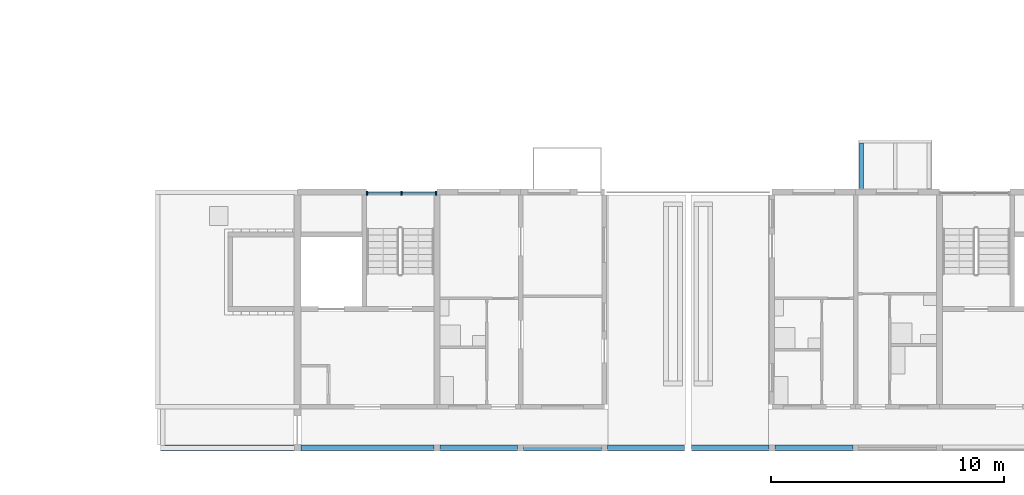
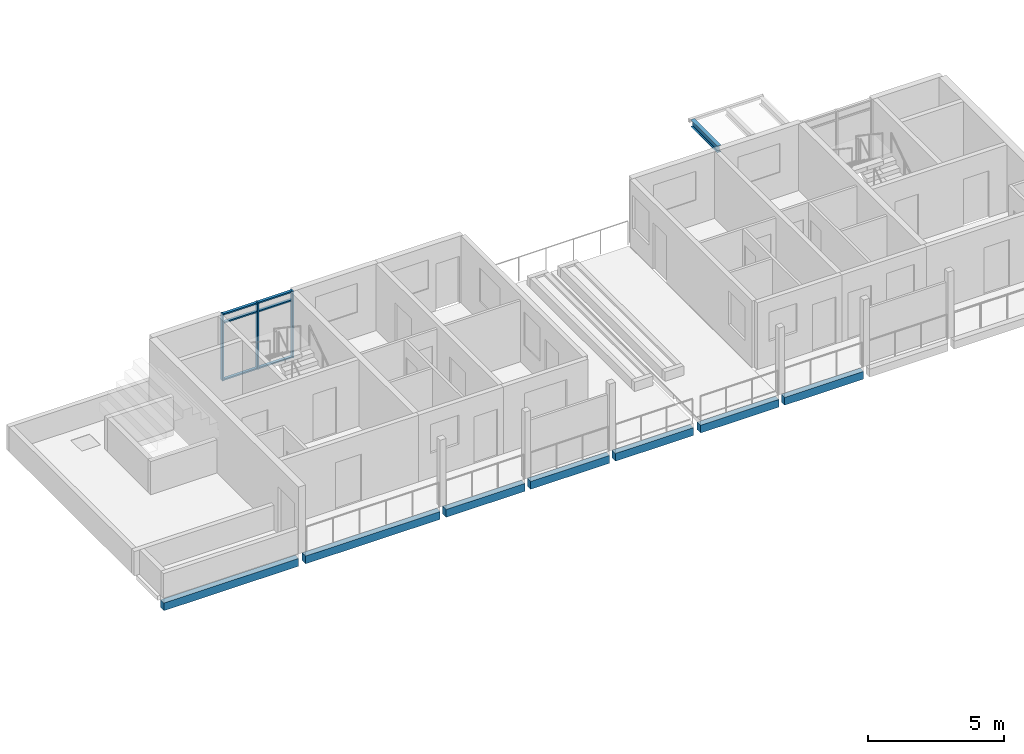
# One storey, part 11 of 55: 9 members, 8 beams, 1 element without a shape of its own.
"""IFC4 building model written with IfcOpenShell, lengths in metres."""

import ifcopenshell
import ifcopenshell.guid

model = None  # the IFC model being written
_history = None  # IfcOwnerHistory: only IFC2X3 demands one
_inside = {}  # id of a spatial element -> (the spatial element, [elements in it])
_under = {}  # id of a project, library or spatial element -> (it, [spatial elements below it])
_declared = {}  # id of a project -> (the project, [libraries it declares])
_typed = {}  # id of a type object -> (the type object, [elements of that type])
_made_of = {}  # id of a material, layer set ... -> (it, [elements and type objects made of it])


def new_model(schema):
    """Start an empty IFC model of exactly this schema.

    Asked for "IFC4X3", IfcOpenShell would pick the latest addendum, in which some entities
    have other attributes; the version numbers below select the first issue.
    IFC2X3 requires an IfcOwnerHistory on every rooted entity: one is made here for all.
    """
    global model, _history
    if schema == "IFC4X3":
        model = ifcopenshell.file(schema_version=(4, 3, 0, 0))
    else:
        model = ifcopenshell.file(schema=schema)
    _inside.clear()
    _under.clear()
    _declared.clear()
    _typed.clear()
    _made_of.clear()
    _history = None
    if model.schema == "IFC2X3":
        org = make("IfcOrganization", Name="unknown")
        user = make(
            "IfcPersonAndOrganization",
            ThePerson=make("IfcPerson", FamilyName="unknown"),
            TheOrganization=org,
        )
        app = make(
            "IfcApplication",
            ApplicationDeveloper=org,
            Version="unknown",
            ApplicationFullName="unknown",
            ApplicationIdentifier="unknown",
        )
        _history = make(
            "IfcOwnerHistory",
            OwningUser=user,
            OwningApplication=app,
            ChangeAction="ADDED",
            CreationDate=0,
        )
    return model


def make(cls, **values):
    """One entity of the class cls with the attributes given. An attribute that is None is left unset."""
    return model.create_entity(
        cls, **{name: value for name, value in values.items() if value is not None}
    )


def rooted(cls, **values):
    """An entity with a GlobalId (a new one), such as an element, a storey or a relation."""
    return make(cls, GlobalId=ifcopenshell.guid.new(), OwnerHistory=_history, **values)


def si_unit(unit_type, name, prefix=None):
    """IfcSIUnit, for example si_unit("LENGTHUNIT", "METRE", prefix="MILLI")."""
    return make("IfcSIUnit", UnitType=unit_type, Prefix=prefix, Name=name)


def assignment(units):
    """IfcUnitAssignment: the units of a project."""
    return None if units is None else make("IfcUnitAssignment", Units=units)


def point(xyz):
    """IfcCartesianPoint."""
    return None if xyz is None else make("IfcCartesianPoint", Coordinates=xyz)


def direction(xyz):
    """IfcDirection."""
    return None if xyz is None else make("IfcDirection", DirectionRatios=xyz)


def frame(location, z_axis=None, x_axis=None):
    """IfcAxis2Placement3D, a coordinate frame: its origin and axes. An axis left out is left unset."""
    return make(
        "IfcAxis2Placement3D",
        Location=point(location),
        Axis=direction(z_axis),
        RefDirection=direction(x_axis),
    )


def frame_2d(location, x_axis=None):
    """IfcAxis2Placement2D, a coordinate frame in the plane: its origin and x axis."""
    return make(
        "IfcAxis2Placement2D", Location=point(location), RefDirection=direction(x_axis)
    )


def origin():
    """The frame at (0, 0, 0) with its axes left unset."""
    return frame((0.0, 0.0, 0.0))


def origin_2d():
    """The frame at (0, 0) in the plane with its x axis left unset."""
    return frame_2d((0.0, 0.0))


def place(relative_to, where):
    """IfcLocalPlacement: puts the frame where relative to a parent placement (None: the world)."""
    return make(
        "IfcLocalPlacement", PlacementRelTo=relative_to, RelativePlacement=where
    )


def context(
    kind, dimensions, precision=None, world=None, true_north=None, identifier=None
):
    """IfcGeometricRepresentationContext, for example the 3D "Model" context."""
    return make(
        "IfcGeometricRepresentationContext",
        ContextIdentifier=identifier,
        ContextType=kind,
        CoordinateSpaceDimension=dimensions,
        Precision=precision,
        WorldCoordinateSystem=world,
        TrueNorth=true_north,
    )


def subcontext(parent, identifier, kind, view, scale=None):
    """IfcGeometricRepresentationSubContext, for example "Body" below "Model"."""
    return make(
        "IfcGeometricRepresentationSubContext",
        ContextIdentifier=identifier,
        ContextType=kind,
        ParentContext=parent,
        TargetScale=scale,
        TargetView=view,
    )


def project(units=None, contexts=None):
    """IfcProject with its units and contexts."""
    return rooted(
        "IfcProject",
        Name="project",
        RepresentationContexts=contexts,
        UnitsInContext=assignment(units),
    )


def spatial(cls, under=None, at=None, **own):
    """A site, building, storey or space (cls), placed at a placement, below another one or the project."""
    s = rooted(cls, ObjectPlacement=at, **own)
    if under is not None:
        _under.setdefault(under.id(), (under, []))[1].append(s)
    return s


def profile(cls, at=None, kind="AREA", **sizes):
    """A parametric profile (cls). Its sizes go by their IFC names, for example OverallWidth=200.0."""
    return make(cls, ProfileType=kind, Position=at, **sizes)


def rectangle(**sizes):
    """IfcRectangleProfileDef."""
    return profile("IfcRectangleProfileDef", **sizes)


def i_section(**sizes):
    """IfcIShapeProfileDef."""
    return profile("IfcIShapeProfileDef", **sizes)


def extrude(swept, where, along, depth):
    """IfcExtrudedAreaSolid: the profile swept, set in the frame where, extruded along a direction by depth."""
    return make(
        "IfcExtrudedAreaSolid",
        SweptArea=swept,
        Position=where,
        ExtrudedDirection=direction(along),
        Depth=depth,
    )


def shape(context_of_items, identifier, shape_type, items):
    """IfcShapeRepresentation: the items that make up one representation, for example the "Body"."""
    return make(
        "IfcShapeRepresentation",
        ContextOfItems=context_of_items,
        RepresentationIdentifier=identifier,
        RepresentationType=shape_type,
        Items=items,
    )


def material(Name=None, Category=None):
    """IfcMaterial."""
    return make("IfcMaterial", Name=Name, Category=Category)


def material_profile(
    of_material, cross_section, Name=None, Category=None, Priority=None
):
    """IfcMaterialProfile: a cross section and its material."""
    return make(
        "IfcMaterialProfile",
        Name=Name,
        Material=of_material,
        Profile=cross_section,
        Priority=Priority,
        Category=Category,
    )


def profile_set(profiles, Name=None, composite=None):
    """IfcMaterialProfileSet."""
    return make(
        "IfcMaterialProfileSet",
        Name=Name,
        MaterialProfiles=profiles,
        CompositeProfile=composite,
    )


def made_of(thing, what):
    """Note that an element or type object is made of a material, layer set ...; save() writes the relation."""
    if what is not None:
        _made_of.setdefault(what.id(), (what, []))[1].append(thing)
    return thing


def type_object(cls, material=None, **own):
    """A type object (cls), such as IfcWallType, which elements share."""
    return made_of(rooted(cls, **own), material)


def element(
    cls,
    number,
    at=None,
    inside=None,
    cuts=None,
    type_object=None,
    material=None,
    context=None,
    identifier="Body",
    shape_type=None,
    held_by="IfcProductDefinitionShape",
    body=None,
    shapes=None,
    **own,
):
    """One element of the class cls, such as IfcWall. Its Tag is "e" and its number.

    at: its placement. inside: the storey or other place that contains it. cuts: it is an
    opening in that element (IfcRelVoidsElement). A single representation is given by context,
    identifier, shape_type and body (its items); several are given by shapes. held_by: the class
    of the entity that holds the representations. save() writes the other relations.
    """
    e = rooted(cls, Tag="e%d" % number, ObjectPlacement=at, **own)
    if body is not None:
        shapes = [shape(context, identifier, shape_type, body)]
    if shapes is not None:
        e.Representation = make(held_by, Representations=shapes)
    if inside is not None:
        _inside.setdefault(inside.id(), (inside, []))[1].append(e)
    if cuts is not None:
        rooted(
            "IfcRelVoidsElement", RelatingBuildingElement=cuts, RelatedOpeningElement=e
        )
    if type_object is not None:
        _typed.setdefault(type_object.id(), (type_object, []))[1].append(e)
    return made_of(e, material)


def aggregate(whole, parts):
    """IfcRelAggregates: a whole, such as a stair, and the parts it consists of."""
    return rooted("IfcRelAggregates", RelatingObject=whole, RelatedObjects=parts)


def save(model, path):
    """Write the relations noted so far, then the file.

    IfcRelAggregates (storeys below a building ...), IfcRelContainedInSpatialStructure (elements
    in a storey), IfcRelDefinesByType, IfcRelAssociatesMaterial and IfcRelDeclares: one each for
    every whole, place, type object, material and project.
    """
    for whole, parts in _under.values():
        aggregate(whole, parts)
    for where, things in _inside.values():
        rooted(
            "IfcRelContainedInSpatialStructure",
            RelatedElements=things,
            RelatingStructure=where,
        )
    for kind, things in _typed.values():
        rooted("IfcRelDefinesByType", RelatedObjects=things, RelatingType=kind)
    for what, things in _made_of.values():
        rooted("IfcRelAssociatesMaterial", RelatedObjects=things, RelatingMaterial=what)
    for by, libraries in _declared.values():
        rooted("IfcRelDeclares", RelatingContext=by, RelatedDefinitions=libraries)
    model.write(path)


model = new_model("IFC4")

# Units and contexts
model_context = context("Model", 3, precision=1e-05, world=origin(), true_north=direction((0.0, 1.0)))
body_context = subcontext(model_context, "Body", "Model", "MODEL_VIEW")
ifc_project = project(units=[si_unit("LENGTHUNIT", "METRE"), si_unit("AREAUNIT", "SQUARE_METRE"), si_unit("VOLUMEUNIT", "CUBIC_METRE"), si_unit("PLANEANGLEUNIT", "RADIAN"), si_unit("MASSUNIT", "GRAM", prefix="KILO")], contexts=[model_context])

# Site, building, storey
site_placement = place(None, origin())
site = spatial("IfcSite", under=ifc_project, at=site_placement, CompositionType="ELEMENT")
building_placement = place(site_placement, origin())
building = spatial("IfcBuilding", under=site, at=building_placement, Name="Ridgestep Commons", CompositionType="ELEMENT")
storey_placement = place(building_placement, frame((0.0, 0.0, 36.0)))
storey = spatial("IfcBuildingStorey", under=building, at=storey_placement, Name="L12", CompositionType="ELEMENT", Elevation=36.0)

# Beams
ifc_material_1 = material(Name="Precast concrete C40/50", Category="concrete")
ifc_material_profile_1 = material_profile(ifc_material_1, rectangle(XDim=0.25, YDim=0.35009765625, at=origin_2d()), Name="PC 250x350")
ifc_profile_set_1 = profile_set([ifc_material_profile_1], Name="Precast concrete C40/50")
beam_type_1 = type_object("IfcBeamType", Name="Loggia edge beam 250 x 350", PredefinedType="SPANDREL", material=ifc_profile_set_1)
beam_1_placement = place(storey_placement, frame((157.72509765625, 11.875, -0.375), z_axis=(1.0, 0.0, 0.0), x_axis=(0.0, 1.0, 0.0)))
element("IfcBeam", 1, at=beam_1_placement, inside=storey, type_object=beam_type_1, Name="Loggia edge beam D1C L12", PredefinedType="SPANDREL", context=body_context, shape_type="SweptSolid", body=[
    extrude(rectangle(XDim=0.25, YDim=0.35009765625, at=origin_2d()), origin(), (0.0, 0.0, 1.0), 5.724853515625),
])
beam_2_placement = place(storey_placement, frame((163.75, 11.875, -0.375), z_axis=(1.0, 0.0, 0.0), x_axis=(0.0, 1.0, 0.0)))
element("IfcBeam", 2, at=beam_2_placement, inside=storey, type_object=beam_type_1, Name="Loggia edge beam D2C L12", PredefinedType="SPANDREL", context=body_context, shape_type="SweptSolid", body=[
    extrude(rectangle(XDim=0.25, YDim=0.35009765625, at=origin_2d()), origin(), (0.0, 0.0, 1.0), 5.72509765625),
])
beam_3_placement = place(storey_placement, frame((169.72509765625, 11.875, -0.375), z_axis=(1.0, 0.0, 0.0), x_axis=(0.0, 1.0, 0.0)))
element("IfcBeam", 3, at=beam_3_placement, inside=storey, type_object=beam_type_1, Name="Loggia edge beam D2T3 L12", PredefinedType="SPANDREL", context=body_context, shape_type="SweptSolid", body=[
    extrude(rectangle(XDim=0.25, YDim=0.35009765625, at=origin_2d()), origin(), (0.0, 0.0, 1.0), 3.349853515625),
])
beam_4_placement = place(storey_placement, frame((173.324951171875, 11.875, -0.375), z_axis=(1.0, 0.0, 0.0), x_axis=(0.0, 1.0, 0.0)))
element("IfcBeam", 4, at=beam_4_placement, inside=storey, type_object=beam_type_1, Name="Loggia edge beam D2T2 L12", PredefinedType="SPANDREL", context=body_context, shape_type="SweptSolid", body=[
    extrude(rectangle(XDim=0.25, YDim=0.35009765625, at=origin_2d()), origin(), (0.0, 0.0, 1.0), 3.35009765625),
])
for number, where, z_axis, x_axis, name in (
    (5, (176.925048828125, 11.875, -0.375), (1.0, 0.0, 0.0), (0.0, 1.0, 0.0), "Loggia edge beam D2T1 L12"),
    (6, (180.550048828125, 11.875, -0.375), (1.0, 0.0, 0.0), (0.0, 1.0, 0.0), "Loggia edge beam D3T1 L12"),
):
    element("IfcBeam", number, at=place(storey_placement, frame(where, z_axis=z_axis, x_axis=x_axis)), inside=storey, type_object=beam_type_1, Name=name, PredefinedType="SPANDREL", context=body_context, shape_type="SweptSolid", body=[
        extrude(rectangle(XDim=0.25, YDim=0.35009765625, at=origin_2d()), origin(), (0.0, 0.0, 1.0), 3.324951171875),
    ])
beam_5_placement = place(storey_placement, frame((184.125, 11.875, -0.375), z_axis=(1.0, 0.0, 0.0), x_axis=(0.0, 1.0, 0.0)))
element("IfcBeam", 7, at=beam_5_placement, inside=storey, type_object=beam_type_1, Name="Loggia edge beam D3T2 L12", PredefinedType="SPANDREL", context=body_context, shape_type="SweptSolid", body=[
    extrude(rectangle(XDim=0.25, YDim=0.35009765625, at=origin_2d()), origin(), (0.0, 0.0, 1.0), 3.35009765625),
])

# Curtain wall, members
ifc_material_2 = material(Name="Aluminium 6063-T6 and glass", Category="aluminium")
curtain_wall_type = type_object("IfcCurtainWallType", Name="Curtain wall stair strip", PredefinedType="NOTDEFINED", material=ifc_material_2)
curtain_wall_placement = place(storey_placement, origin())
curtain_wall = element("IfcCurtainWall", 8, at=curtain_wall_placement, inside=storey, type_object=curtain_wall_type, Name="Curtain wall D2C level 12", PredefinedType="NOTDEFINED")
ifc_material_3 = material(Name="Aluminium 6063-T6", Category="aluminium")
ifc_material_profile_2 = material_profile(ifc_material_3, rectangle(XDim=0.159912109375, YDim=0.06005859375, at=origin_2d()), Name="Mullion 60 x 160")
ifc_profile_set_2 = profile_set([ifc_material_profile_2], Name="Aluminium 6063-T6")
member_type_1 = type_object("IfcMemberType", Name="Mullion 60 x 160", PredefinedType="MULLION", material=ifc_profile_set_2)
member_1_placement = place(storey_placement, frame((166.60498046875, 22.830078125, 0.0), z_axis=(0.0, 0.0, 1.0), x_axis=(0.0, 1.0, 0.0)))
member_1 = element("IfcMember", 9, at=member_1_placement, type_object=member_type_1, Name="CW1 mullion 1", PredefinedType="MULLION", context=body_context, shape_type="SweptSolid", body=[
    extrude(rectangle(XDim=0.159912109375, YDim=0.06005859375, at=origin_2d()), origin(), (0.0, 0.0, 1.0), 3.0),
])
member_2_placement = place(storey_placement, frame((168.08740234375, 22.830078125, 0.0), z_axis=(0.0, 0.0, 1.0), x_axis=(0.0, 1.0, 0.0)))
member_2 = element("IfcMember", 10, at=member_2_placement, type_object=member_type_1, Name="CW1 mullion 2", PredefinedType="MULLION", context=body_context, shape_type="SweptSolid", body=[
    extrude(rectangle(XDim=0.159912109375, YDim=0.06005859375, at=origin_2d()), origin(), (0.0, 0.0, 1.0), 3.0),
])
member_3_placement = place(storey_placement, frame((169.570068359375, 22.830078125, 0.0), z_axis=(0.0, 0.0, 1.0), x_axis=(0.0, 1.0, 0.0)))
member_3 = element("IfcMember", 11, at=member_3_placement, type_object=member_type_1, Name="CW1 mullion 3", PredefinedType="MULLION", context=body_context, shape_type="SweptSolid", body=[
    extrude(rectangle(XDim=0.159912109375, YDim=0.06005859375, at=origin_2d()), origin(), (0.0, 0.0, 1.0), 3.0),
])
ifc_material_4 = material(Name="Aluminium 6063-T6", Category="aluminium")
ifc_material_profile_3 = material_profile(ifc_material_4, rectangle(XDim=0.1201171875, YDim=0.06005859375, at=origin_2d()), Name="Transom 60 x 120")
ifc_profile_set_3 = profile_set([ifc_material_profile_3], Name="Aluminium 6063-T6")
member_type_2 = type_object("IfcMemberType", Name="Transom 60 x 120", PredefinedType="USERDEFINED", material=ifc_profile_set_3)
member_4_placement = place(storey_placement, frame((166.635009765625, 22.830078125, 0.030029296875), z_axis=(1.0, 0.0, 0.0), x_axis=(0.0, 1.0, 0.0)))
member_4 = element("IfcMember", 12, at=member_4_placement, type_object=member_type_2, Name="CW1 transom 1.1", ObjectType="TRANSOM", PredefinedType="USERDEFINED", context=body_context, shape_type="SweptSolid", body=[
    extrude(rectangle(XDim=0.1201171875, YDim=0.06005859375, at=origin_2d()), origin(), (0.0, 0.0, 1.0), 1.422607421875),
])
member_5_placement = place(storey_placement, frame((166.635009765625, 22.830078125, 2.590087890625), z_axis=(1.0, 0.0, 0.0), x_axis=(0.0, 1.0, 0.0)))
member_5 = element("IfcMember", 13, at=member_5_placement, type_object=member_type_2, Name="CW1 transom 1.2", ObjectType="TRANSOM", PredefinedType="USERDEFINED", context=body_context, shape_type="SweptSolid", body=[
    extrude(rectangle(XDim=0.1201171875, YDim=0.06005859375, at=origin_2d()), origin(), (0.0, 0.0, 1.0), 1.422607421875),
])
member_6_placement = place(storey_placement, frame((166.635009765625, 22.830078125, 2.969970703125), z_axis=(1.0, 0.0, 0.0), x_axis=(0.0, 1.0, 0.0)))
member_6 = element("IfcMember", 14, at=member_6_placement, type_object=member_type_2, Name="CW1 transom 1.3", ObjectType="TRANSOM", PredefinedType="USERDEFINED", context=body_context, shape_type="SweptSolid", body=[
    extrude(rectangle(XDim=0.1201171875, YDim=0.06005859375, at=origin_2d()), origin(), (0.0, 0.0, 1.0), 1.422607421875),
])
member_7_placement = place(storey_placement, frame((168.117431640625, 22.830078125, 0.030029296875), z_axis=(1.0, 0.0, 0.0), x_axis=(0.0, 1.0, 0.0)))
member_7 = element("IfcMember", 15, at=member_7_placement, type_object=member_type_2, Name="CW1 transom 2.1", ObjectType="TRANSOM", PredefinedType="USERDEFINED", context=body_context, shape_type="SweptSolid", body=[
    extrude(rectangle(XDim=0.1201171875, YDim=0.06005859375, at=origin_2d()), origin(), (0.0, 0.0, 1.0), 1.422607421875),
])
member_8_placement = place(storey_placement, frame((168.117431640625, 22.830078125, 2.590087890625), z_axis=(1.0, 0.0, 0.0), x_axis=(0.0, 1.0, 0.0)))
member_8 = element("IfcMember", 16, at=member_8_placement, type_object=member_type_2, Name="CW1 transom 2.2", ObjectType="TRANSOM", PredefinedType="USERDEFINED", context=body_context, shape_type="SweptSolid", body=[
    extrude(rectangle(XDim=0.1201171875, YDim=0.06005859375, at=origin_2d()), origin(), (0.0, 0.0, 1.0), 1.422607421875),
])
member_9_placement = place(storey_placement, frame((168.117431640625, 22.830078125, 2.969970703125), z_axis=(1.0, 0.0, 0.0), x_axis=(0.0, 1.0, 0.0)))
member_9 = element("IfcMember", 17, at=member_9_placement, type_object=member_type_2, Name="CW1 transom 2.3", ObjectType="TRANSOM", PredefinedType="USERDEFINED", context=body_context, shape_type="SweptSolid", body=[
    extrude(rectangle(XDim=0.1201171875, YDim=0.06005859375, at=origin_2d()), origin(), (0.0, 0.0, 1.0), 1.422607421875),
])
aggregate(curtain_wall, [member_1, member_2, member_3, member_4, member_5, member_6, member_7, member_8, member_9])

# Beam
ifc_material_5 = material(Name="Weathering steel S355J2W", Category="steel")
ifc_material_profile_4 = material_profile(ifc_material_5, i_section(OverallWidth=0.1650390625, OverallDepth=0.303466796875, WebThickness=0.006103515625, FlangeThickness=0.01025390625, FilletRadius=0.0087890625, at=origin_2d()), Name="UB 305x165x40")
ifc_profile_set_4 = profile_set([ifc_material_profile_4], Name="Weathering steel S355J2W")
beam_type_2 = type_object("IfcBeamType", Name="Tray arm UB 305x165x40", PredefinedType="BEAM", material=ifc_profile_set_4)
beam_6_placement = place(storey_placement, frame((187.85009765625, 23.014892578125, 2.83837890625), z_axis=(0.0, 1.0, 0.0), x_axis=(-1.0, 0.0, 0.0)))
element("IfcBeam", 18, at=beam_6_placement, inside=storey, type_object=beam_type_2, Name="Tray arm D3T3-13.1", PredefinedType="BEAM", context=body_context, shape_type="SweptSolid", body=[
    extrude(i_section(OverallWidth=0.1650390625, OverallDepth=0.303466796875, WebThickness=0.006103515625, FlangeThickness=0.01025390625, FilletRadius=0.0087890625, at=origin_2d()), origin(), (0.0, 0.0, 1.0), 1.965087890625),
])

save(model, "model.ifc")
